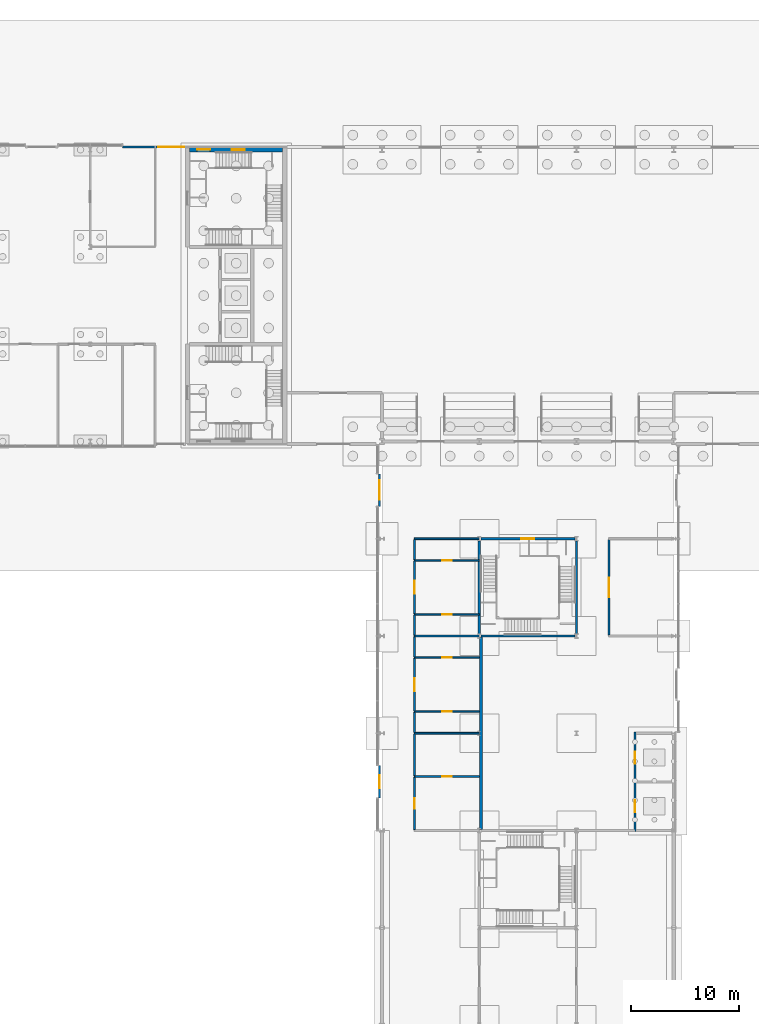
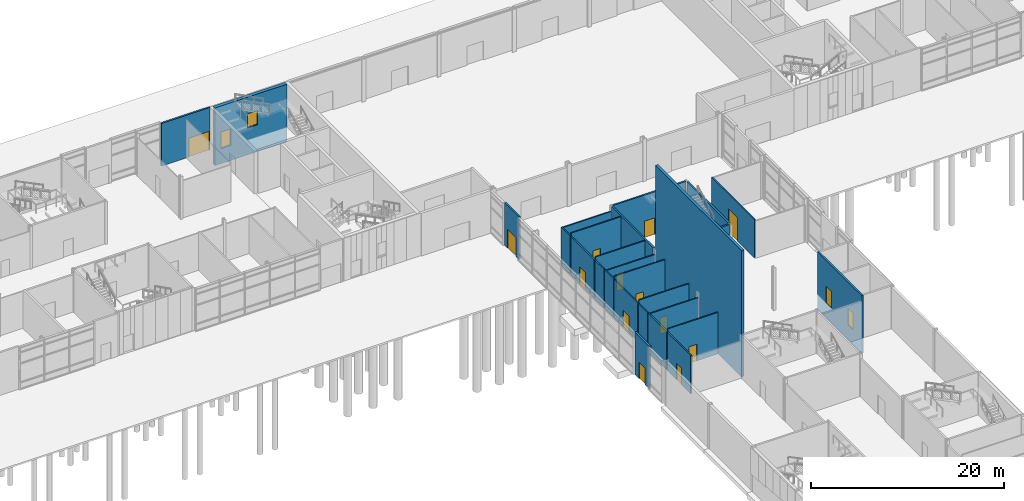
# One storey, part 29 of 45: 27 walls, 16 doors, 1 window, 17 openings.
"""IFC4 building model written with IfcOpenShell, lengths in metres."""

from ifc_helpers import new_model, si_unit, direction, frame, frame_2d, origin, place, context, subcontext, project, spatial, rectangle, extrude, material, layer, layer_set, type_object, element, fill, save


model = new_model("IFC4")

# Units and contexts
model_context = context("Model", 3, precision=1e-05, world=origin(), true_north=direction((0.0, 1.0)))
body_context = subcontext(model_context, "Body", "Model", "MODEL_VIEW")
ifc_project = project(units=[si_unit("LENGTHUNIT", "METRE"), si_unit("AREAUNIT", "SQUARE_METRE"), si_unit("VOLUMEUNIT", "CUBIC_METRE"), si_unit("PLANEANGLEUNIT", "RADIAN"), si_unit("MASSUNIT", "GRAM", prefix="KILO")], contexts=[model_context])

# Site, building, storey
site_placement = place(None, origin())
site = spatial("IfcSite", under=ifc_project, at=site_placement, CompositionType="ELEMENT")
building_placement = place(site_placement, origin())
building = spatial("IfcBuilding", under=site, at=building_placement, Name="Azimuth Sports and Learning Centre", CompositionType="ELEMENT")
storey_placement = place(building_placement, origin())
storey = spatial("IfcBuildingStorey", under=building, at=storey_placement, Name="L00", CompositionType="ELEMENT", Elevation=0.0)

# Wall
ifc_material_1 = material(Name="Plywood climbing panels", Category="wood")
ifc_layer_1 = layer(ifc_material_1, 0.300048828125)
ifc_layer_set_1 = layer_set([ifc_layer_1], Name="Plywood climbing panels")
wall_type_1 = type_object("IfcWallType", Name="Climbing wall 300 EI 60", PredefinedType="SOLIDWALL", material=ifc_layer_set_1)
wall_1_placement = place(storey_placement, frame((81.14990234375, 54.10009765625, 0.0), z_axis=(0.0, 0.0, 1.0), x_axis=(0.0, 1.0, 0.0)))
element("IfcWall", 1, at=wall_1_placement, inside=storey, type_object=wall_type_1, Name="Climbing wall", PredefinedType="SOLIDWALL", context=body_context, shape_type="SweptSolid", body=[
    extrude(rectangle(XDim=17.7998046875, YDim=0.300048828125, at=frame_2d((8.89990234375, 0.0))), origin(), (0.0, 0.0, 1.0), 16.0),
])

# Wall, opening, door
ifc_material_2 = material(Name="Insulated cladding wall")
ifc_layer_2 = layer(ifc_material_2, 0.199951171875)
ifc_layer_set_2 = layer_set([ifc_layer_2], Name="Insulated cladding wall")
wall_type_2 = type_object("IfcWallType", Name="Entrance wall 200", PredefinedType="SOLIDWALL", material=ifc_layer_set_2)
wall_2_placement = place(storey_placement, frame((71.75, 87.0, 0.0), z_axis=(0.0, 0.0, 1.0), x_axis=(0.0, -1.0, 0.0)))
wall_2 = element("IfcWall", 2, at=wall_2_placement, inside=storey, type_object=wall_type_2, Name="Entrance wall W-STEM-1 L00", PredefinedType="SOLIDWALL", context=body_context, shape_type="SweptSolid", body=[
    extrude(rectangle(XDim=3.0, YDim=0.199951171875, at=frame_2d((1.5, 0.0))), origin(), (0.0, 0.0, 1.0), 5.39990234375),
])
opening_1_placement = place(wall_2_placement, frame((0.60009765625, 0.0, 0.0)))
opening_1 = element("IfcOpeningElement", 3, at=opening_1_placement, cuts=wall_2, Name="Opening D00-005", PredefinedType="OPENING", context=body_context, shape_type="SweptSolid", body=[
    extrude(rectangle(XDim=1.800048828125, YDim=2.39990234375, at=frame_2d((0.89990234375, 1.199951171875))), frame((0.0, 0.11083984375, 0.0), z_axis=(0.0, -1.0, 0.0), x_axis=(1.0, 0.0, 0.0)), (0.0, 0.0, 1.0), 0.221923828125),
])
ifc_material_3 = material(Name="Aluminium and glass", Category="aluminium")
door_type_1 = type_object("IfcDoorType", Name="Exterior door double leaf 1800x2400", OperationType="DOUBLE_DOOR_DOUBLE_SWING", PredefinedType="DOOR", material=ifc_material_3)
door_1_placement = place(opening_1_placement, frame((1.800048828125, 0.0, 0.0), z_axis=(0.0, 0.0, 1.0), x_axis=(-1.0, 0.0, 0.0)))
door_1 = element("IfcDoor", 4, at=door_1_placement, inside=storey, type_object=door_type_1, Name="Exterior door D00-005", OperationType="DOUBLE_DOOR_DOUBLE_SWING", OverallHeight=2.39990234375, OverallWidth=1.800048828125, PredefinedType="DOOR", context=body_context, shape_type="SweptSolid", body=[
    extrude(rectangle(XDim=1.800048828125, YDim=2.39990234375, at=frame_2d((0.89990234375, 1.199951171875))), frame((0.0, 0.02490234375, 0.0), z_axis=(0.0, -1.0, 0.0), x_axis=(1.0, 0.0, 0.0)), (0.0, 0.0, 1.0), 0.050048828125),
])
fill(opening_1, door_1)

wall_3_placement = place(storey_placement, frame((71.75, 60.0, 0.0), z_axis=(0.0, 0.0, 1.0), x_axis=(0.0, -1.0, 0.0)))
wall_3 = element("IfcWall", 5, at=wall_3_placement, inside=storey, type_object=wall_type_2, Name="Entrance wall W-STEM-1 L00", PredefinedType="SOLIDWALL", context=body_context, shape_type="SweptSolid", body=[
    extrude(rectangle(XDim=3.0, YDim=0.199951171875, at=frame_2d((1.5, 0.0))), origin(), (0.0, 0.0, 1.0), 5.39990234375),
])
opening_2_placement = place(wall_3_placement, frame((0.89990234375, 0.0, 0.0)))
opening_2 = element("IfcOpeningElement", 6, at=opening_2_placement, cuts=wall_3, Name="Opening D00-006", PredefinedType="OPENING", context=body_context, shape_type="SweptSolid", body=[
    extrude(rectangle(XDim=1.199951171875, YDim=2.10009765625, at=frame_2d((0.60009765625, 1.050048828125))), frame((0.0, 0.11083984375, 0.0), z_axis=(0.0, -1.0, 0.0), x_axis=(1.0, 0.0, 0.0)), (0.0, 0.0, 1.0), 0.221923828125),
])
ifc_material_4 = material(Name="Aluminium and glass", Category="aluminium")
door_type_2 = type_object("IfcDoorType", Name="Exterior door single leaf 1200x2100", OperationType="NOTDEFINED", PredefinedType="DOOR", material=ifc_material_4)
door_2_placement = place(opening_2_placement, frame((1.199951171875, 0.0, 0.0), z_axis=(0.0, 0.0, 1.0), x_axis=(-1.0, 0.0, 0.0)))
door_2 = element("IfcDoor", 7, at=door_2_placement, inside=storey, type_object=door_type_2, Name="Exterior door D00-006", OperationType="SINGLE_SWING_LEFT", OverallHeight=2.10009765625, OverallWidth=1.199951171875, PredefinedType="DOOR", context=body_context, shape_type="SweptSolid", body=[
    extrude(rectangle(XDim=1.199951171875, YDim=2.10009765625, at=frame_2d((0.60009765625, 1.050048828125))), frame((0.0, 0.02490234375, 0.0), z_axis=(0.0, -1.0, 0.0), x_axis=(1.0, 0.0, 0.0)), (0.0, 0.0, 1.0), 0.050048828125),
])
fill(opening_2, door_2)

wall_4_placement = place(storey_placement, frame((53.800048828125, 117.25, 0.0), z_axis=(0.0, 0.0, 1.0), x_axis=(-1.0, 0.0, 0.0)))
wall_4 = element("IfcWall", 8, at=wall_4_placement, inside=storey, type_object=wall_type_2, Name="Entrance wall N-WING W-1 L00", PredefinedType="SOLIDWALL", context=body_context, shape_type="SweptSolid", body=[
    extrude(rectangle(XDim=5.800048828125, YDim=0.199951171875, at=frame_2d((2.89990234375, 0.0))), origin(), (0.0, 0.0, 1.0), 5.39990234375),
])
opening_3_placement = place(wall_4_placement, frame((0.10009765625, 0.0, 0.0)))
opening_3 = element("IfcOpeningElement", 9, at=opening_3_placement, cuts=wall_4, Name="Opening D00-021", PredefinedType="OPENING", context=body_context, shape_type="SweptSolid", body=[
    extrude(rectangle(XDim=2.39990234375, YDim=2.39990234375, at=frame_2d((1.199951171875, 1.199951171875))), frame((0.0, 0.11083984375, 0.0), z_axis=(0.0, -1.0, 0.0), x_axis=(1.0, 0.0, 0.0)), (0.0, 0.0, 1.0), 0.221923828125),
])
ifc_material_5 = material(Name="Steel", Category="steel")
door_type_3 = type_object("IfcDoorType", Name="Exterior door double leaf 2400x2400 FD60", OperationType="DOUBLE_DOOR_DOUBLE_SWING", PredefinedType="DOOR", material=ifc_material_5)
door_3_placement = place(opening_3_placement, frame((2.39990234375, 0.0, 0.0), z_axis=(0.0, 0.0, 1.0), x_axis=(-1.0, 0.0, 0.0)))
door_3 = element("IfcDoor", 10, at=door_3_placement, inside=storey, type_object=door_type_3, Name="Exterior door D00-021", OperationType="DOUBLE_DOOR_DOUBLE_SWING", OverallHeight=2.39990234375, OverallWidth=2.39990234375, PredefinedType="DOOR", context=body_context, shape_type="SweptSolid", body=[
    extrude(rectangle(XDim=2.39990234375, YDim=2.39990234375, at=frame_2d((1.199951171875, 1.199951171875))), frame((0.0, 0.02490234375, 0.0), z_axis=(0.0, -1.0, 0.0), x_axis=(1.0, 0.0, 0.0)), (0.0, 0.0, 1.0), 0.050048828125),
])
fill(opening_3, door_3)

ifc_material_6 = material(Name="Lightweight blockwork, rendered", Category="masonry")
ifc_layer_3 = layer(ifc_material_6, 0.14990234375)
ifc_layer_set_3 = layer_set([ifc_layer_3], Name="Lightweight blockwork, rendered")
wall_type_3 = type_object("IfcWallType", Name="Partition 150 EI 60", PredefinedType="PARTITIONING", material=ifc_layer_set_3)
wall_5_placement = place(storey_placement, frame((75.0, 59.0, 0.0), z_axis=(0.0, 0.0, 1.0), x_axis=(1.0, 0.0, 0.0)))
wall_5 = element("IfcWall", 11, at=wall_5_placement, inside=storey, type_object=wall_type_3, Name="Partition 150 EI 60", PredefinedType="PARTITIONING", context=body_context, shape_type="SweptSolid", body=[
    extrude(rectangle(XDim=6.0, YDim=0.14990234375, at=frame_2d((3.0, 0.0))), origin(), (0.0, 0.0, 1.0), 5.25),
])
opening_4_placement = place(wall_5_placement, frame((2.550048828125, 0.0, 0.0)))
opening_4 = element("IfcOpeningElement", 12, at=opening_4_placement, cuts=wall_5, Name="Opening D00-095", PredefinedType="OPENING", context=body_context, shape_type="SweptSolid", body=[
    extrude(rectangle(XDim=0.89990234375, YDim=2.10009765625, at=frame_2d((0.449951171875, 1.050048828125))), frame((0.0, 0.0859375, 0.0), z_axis=(0.0, -1.0, 0.0), x_axis=(1.0, 0.0, 0.0)), (0.0, 0.0, 1.0), 0.171875),
])
ifc_material_7 = material(Name="Timber fire door set", Category="wood")
door_type_4 = type_object("IfcDoorType", Name="Timber door single 900x2100 FD60", OperationType="NOTDEFINED", PredefinedType="DOOR", material=ifc_material_7)
door_4_placement = place(opening_4_placement, origin())
door_4 = element("IfcDoor", 13, at=door_4_placement, inside=storey, type_object=door_type_4, Name="Door D00-095", OperationType="SINGLE_SWING_LEFT", OverallHeight=2.10009765625, OverallWidth=0.89990234375, PredefinedType="DOOR", context=body_context, shape_type="SweptSolid", body=[
    extrude(rectangle(XDim=0.89990234375, YDim=2.10009765625, at=frame_2d((0.449951171875, 1.050048828125))), frame((0.0, 0.02490234375, 0.0), z_axis=(0.0, -1.0, 0.0), x_axis=(1.0, 0.0, 0.0)), (0.0, 0.0, 1.0), 0.050048828125),
])
fill(opening_4, door_4)

# Wall
wall_6_placement = place(storey_placement, frame((75.0, 63.0, 0.0), z_axis=(0.0, 0.0, 1.0), x_axis=(1.0, 0.0, 0.0)))
element("IfcWall", 14, at=wall_6_placement, inside=storey, type_object=wall_type_3, Name="Partition 150 EI 60", PredefinedType="PARTITIONING", context=body_context, shape_type="SweptSolid", body=[
    extrude(rectangle(XDim=6.0, YDim=0.14990234375, at=frame_2d((3.0, 0.0))), origin(), (0.0, 0.0, 1.0), 4.699951171875),
])

# Wall, opening, door
wall_7_placement = place(storey_placement, frame((75.0, 65.0, 0.0), z_axis=(0.0, 0.0, 1.0), x_axis=(1.0, 0.0, 0.0)))
wall_7 = element("IfcWall", 15, at=wall_7_placement, inside=storey, type_object=wall_type_3, Name="Partition 150 EI 60", PredefinedType="PARTITIONING", context=body_context, shape_type="SweptSolid", body=[
    extrude(rectangle(XDim=6.0, YDim=0.14990234375, at=frame_2d((3.0, 0.0))), origin(), (0.0, 0.0, 1.0), 5.25),
])
opening_5_placement = place(wall_7_placement, frame((2.550048828125, 0.0, 0.0)))
opening_5 = element("IfcOpeningElement", 16, at=opening_5_placement, cuts=wall_7, Name="Opening D00-096", PredefinedType="OPENING", context=body_context, shape_type="SweptSolid", body=[
    extrude(rectangle(XDim=0.89990234375, YDim=2.10009765625, at=frame_2d((0.449951171875, 1.050048828125))), frame((0.0, 0.0859375, 0.0), z_axis=(0.0, -1.0, 0.0), x_axis=(1.0, 0.0, 0.0)), (0.0, 0.0, 1.0), 0.171875),
])
door_5_placement = place(opening_5_placement, frame((0.89990234375, 0.0, 0.0), z_axis=(0.0, 0.0, 1.0), x_axis=(-1.0, 0.0, 0.0)))
door_5 = element("IfcDoor", 17, at=door_5_placement, inside=storey, type_object=door_type_4, Name="Door D00-096", OperationType="SINGLE_SWING_RIGHT", OverallHeight=2.10009765625, OverallWidth=0.89990234375, PredefinedType="DOOR", context=body_context, shape_type="SweptSolid", body=[
    extrude(rectangle(XDim=0.89990234375, YDim=2.10009765625, at=frame_2d((0.449951171875, 1.050048828125))), frame((0.0, 0.02490234375, 0.0), z_axis=(0.0, -1.0, 0.0), x_axis=(1.0, 0.0, 0.0)), (0.0, 0.0, 1.0), 0.050048828125),
])
fill(opening_5, door_5)

wall_8_placement = place(storey_placement, frame((75.0, 70.0, 0.0), z_axis=(0.0, 0.0, 1.0), x_axis=(1.0, 0.0, 0.0)))
wall_8 = element("IfcWall", 18, at=wall_8_placement, inside=storey, type_object=wall_type_3, Name="Partition 150 EI 60", PredefinedType="PARTITIONING", context=body_context, shape_type="SweptSolid", body=[
    extrude(rectangle(XDim=6.0, YDim=0.14990234375, at=frame_2d((3.0, 0.0))), origin(), (0.0, 0.0, 1.0), 5.25),
])
opening_6_placement = place(wall_8_placement, frame((2.550048828125, 0.0, 0.0)))
opening_6 = element("IfcOpeningElement", 19, at=opening_6_placement, cuts=wall_8, Name="Opening D00-098", PredefinedType="OPENING", context=body_context, shape_type="SweptSolid", body=[
    extrude(rectangle(XDim=0.89990234375, YDim=2.10009765625, at=frame_2d((0.449951171875, 1.050048828125))), frame((0.0, 0.0859375, 0.0), z_axis=(0.0, -1.0, 0.0), x_axis=(1.0, 0.0, 0.0)), (0.0, 0.0, 1.0), 0.171875),
])
door_6_placement = place(opening_6_placement, origin())
door_6 = element("IfcDoor", 20, at=door_6_placement, inside=storey, type_object=door_type_4, Name="Door D00-098", OperationType="SINGLE_SWING_LEFT", OverallHeight=2.10009765625, OverallWidth=0.89990234375, PredefinedType="DOOR", context=body_context, shape_type="SweptSolid", body=[
    extrude(rectangle(XDim=0.89990234375, YDim=2.10009765625, at=frame_2d((0.449951171875, 1.050048828125))), frame((0.0, 0.02490234375, 0.0), z_axis=(0.0, -1.0, 0.0), x_axis=(1.0, 0.0, 0.0)), (0.0, 0.0, 1.0), 0.050048828125),
])
fill(opening_6, door_6)

# Wall
wall_9_placement = place(storey_placement, frame((75.0, 72.0, 0.0), z_axis=(0.0, 0.0, 1.0), x_axis=(1.0, 0.0, 0.0)))
element("IfcWall", 21, at=wall_9_placement, inside=storey, type_object=wall_type_3, Name="Partition 150 EI 60", PredefinedType="PARTITIONING", context=body_context, shape_type="SweptSolid", body=[
    extrude(rectangle(XDim=6.0, YDim=0.14990234375, at=frame_2d((3.0, 0.0))), origin(), (0.0, 0.0, 1.0), 4.699951171875),
])

# Wall, opening, door
wall_10_placement = place(storey_placement, frame((75.0, 74.0, 0.0), z_axis=(0.0, 0.0, 1.0), x_axis=(1.0, 0.0, 0.0)))
wall_10 = element("IfcWall", 22, at=wall_10_placement, inside=storey, type_object=wall_type_3, Name="Partition 150 EI 60", PredefinedType="PARTITIONING", context=body_context, shape_type="SweptSolid", body=[
    extrude(rectangle(XDim=6.0, YDim=0.14990234375, at=frame_2d((3.0, 0.0))), origin(), (0.0, 0.0, 1.0), 5.25),
])
opening_7_placement = place(wall_10_placement, frame((2.550048828125, 0.0, 0.0)))
opening_7 = element("IfcOpeningElement", 23, at=opening_7_placement, cuts=wall_10, Name="Opening D00-099", PredefinedType="OPENING", context=body_context, shape_type="SweptSolid", body=[
    extrude(rectangle(XDim=0.89990234375, YDim=2.10009765625, at=frame_2d((0.449951171875, 1.050048828125))), frame((0.0, 0.0859375, 0.0), z_axis=(0.0, -1.0, 0.0), x_axis=(1.0, 0.0, 0.0)), (0.0, 0.0, 1.0), 0.171875),
])
door_7_placement = place(opening_7_placement, frame((0.89990234375, 0.0, 0.0), z_axis=(0.0, 0.0, 1.0), x_axis=(-1.0, 0.0, 0.0)))
door_7 = element("IfcDoor", 24, at=door_7_placement, inside=storey, type_object=door_type_4, Name="Door D00-099", OperationType="SINGLE_SWING_RIGHT", OverallHeight=2.10009765625, OverallWidth=0.89990234375, PredefinedType="DOOR", context=body_context, shape_type="SweptSolid", body=[
    extrude(rectangle(XDim=0.89990234375, YDim=2.10009765625, at=frame_2d((0.449951171875, 1.050048828125))), frame((0.0, 0.02490234375, 0.0), z_axis=(0.0, -1.0, 0.0), x_axis=(1.0, 0.0, 0.0)), (0.0, 0.0, 1.0), 0.050048828125),
])
fill(opening_7, door_7)

wall_11_placement = place(storey_placement, frame((75.0, 79.0, 0.0), z_axis=(0.0, 0.0, 1.0), x_axis=(1.0, 0.0, 0.0)))
wall_11 = element("IfcWall", 25, at=wall_11_placement, inside=storey, type_object=wall_type_3, Name="Partition 150 EI 60", PredefinedType="PARTITIONING", context=body_context, shape_type="SweptSolid", body=[
    extrude(rectangle(XDim=6.0, YDim=0.14990234375, at=frame_2d((3.0, 0.0))), origin(), (0.0, 0.0, 1.0), 5.25),
])
opening_8_placement = place(wall_11_placement, frame((2.550048828125, 0.0, 0.0)))
opening_8 = element("IfcOpeningElement", 26, at=opening_8_placement, cuts=wall_11, Name="Opening D00-101", PredefinedType="OPENING", context=body_context, shape_type="SweptSolid", body=[
    extrude(rectangle(XDim=0.89990234375, YDim=2.10009765625, at=frame_2d((0.449951171875, 1.050048828125))), frame((0.0, 0.0859375, 0.0), z_axis=(0.0, -1.0, 0.0), x_axis=(1.0, 0.0, 0.0)), (0.0, 0.0, 1.0), 0.171875),
])
door_8_placement = place(opening_8_placement, origin())
door_8 = element("IfcDoor", 27, at=door_8_placement, inside=storey, type_object=door_type_4, Name="Door D00-101", OperationType="SINGLE_SWING_LEFT", OverallHeight=2.10009765625, OverallWidth=0.89990234375, PredefinedType="DOOR", context=body_context, shape_type="SweptSolid", body=[
    extrude(rectangle(XDim=0.89990234375, YDim=2.10009765625, at=frame_2d((0.449951171875, 1.050048828125))), frame((0.0, 0.02490234375, 0.0), z_axis=(0.0, -1.0, 0.0), x_axis=(1.0, 0.0, 0.0)), (0.0, 0.0, 1.0), 0.050048828125),
])
fill(opening_8, door_8)

# Wall
wall_12_placement = place(storey_placement, frame((75.0, 81.0, 0.0), z_axis=(0.0, 0.0, 1.0), x_axis=(1.0, 0.0, 0.0)))
element("IfcWall", 28, at=wall_12_placement, inside=storey, type_object=wall_type_3, Name="Partition 150 EI 60", PredefinedType="PARTITIONING", context=body_context, shape_type="SweptSolid", body=[
    extrude(rectangle(XDim=6.0, YDim=0.14990234375, at=frame_2d((3.0, 0.0))), origin(), (0.0, 0.0, 1.0), 4.699951171875),
])

# Wall, opening, door
wall_13_placement = place(storey_placement, frame((75.0, 54.074951171875, 0.0), z_axis=(0.0, 0.0, 1.0), x_axis=(0.0, 1.0, 0.0)))
wall_13 = element("IfcWall", 29, at=wall_13_placement, inside=storey, type_object=wall_type_3, Name="Partition 150 EI 60", PredefinedType="PARTITIONING", context=body_context, shape_type="SweptSolid", body=[
    extrude(rectangle(XDim=4.85009765625, YDim=0.14990234375, at=frame_2d((2.425048828125, 0.0))), origin(), (0.0, 0.0, 1.0), 4.85009765625),
])
opening_9_placement = place(wall_13_placement, frame((1.925048828125, 0.0, 0.0)))
opening_9 = element("IfcOpeningElement", 30, at=opening_9_placement, cuts=wall_13, Name="Opening D00-094", PredefinedType="OPENING", context=body_context, shape_type="SweptSolid", body=[
    extrude(rectangle(XDim=1.0, YDim=2.10009765625, at=frame_2d((0.5, 1.050048828125))), frame((0.0, 0.0859375, 0.0), z_axis=(0.0, -1.0, 0.0), x_axis=(1.0, 0.0, 0.0)), (0.0, 0.0, 1.0), 0.171875),
])
ifc_material_8 = material(Name="Timber fire door set", Category="wood")
door_type_5 = type_object("IfcDoorType", Name="Timber door single 1000x2100 FD60", OperationType="NOTDEFINED", PredefinedType="DOOR", material=ifc_material_8)
door_9_placement = place(opening_9_placement, frame((1.0, 0.0, 0.0), z_axis=(0.0, 0.0, 1.0), x_axis=(-1.0, 0.0, 0.0)))
door_9 = element("IfcDoor", 31, at=door_9_placement, inside=storey, type_object=door_type_5, Name="Door D00-094", OperationType="SINGLE_SWING_LEFT", OverallHeight=2.10009765625, OverallWidth=1.0, PredefinedType="DOOR", context=body_context, shape_type="SweptSolid", body=[
    extrude(rectangle(XDim=1.0, YDim=2.10009765625, at=frame_2d((0.5, 1.050048828125))), frame((0.0, 0.02490234375, 0.0), z_axis=(0.0, -1.0, 0.0), x_axis=(1.0, 0.0, 0.0)), (0.0, 0.0, 1.0), 0.050048828125),
])
fill(opening_9, door_9)

# Walls
wall_14_placement = place(storey_placement, frame((75.0, 59.074951171875, 0.0), z_axis=(0.0, 0.0, 1.0), x_axis=(0.0, 1.0, 0.0)))
element("IfcWall", 32, at=wall_14_placement, inside=storey, type_object=wall_type_3, Name="Partition 150 EI 60", PredefinedType="PARTITIONING", context=body_context, shape_type="SweptSolid", body=[
    extrude(rectangle(XDim=3.85009765625, YDim=0.14990234375, at=frame_2d((1.925048828125, 0.0))), origin(), (0.0, 0.0, 1.0), 4.85009765625),
])
wall_15_placement = place(storey_placement, frame((75.0, 63.074951171875, 0.0), z_axis=(0.0, 0.0, 1.0), x_axis=(0.0, 1.0, 0.0)))
element("IfcWall", 33, at=wall_15_placement, inside=storey, type_object=wall_type_3, Name="Partition 150 EI 60", PredefinedType="PARTITIONING", context=body_context, shape_type="SweptSolid", body=[
    extrude(rectangle(XDim=1.85009765625, YDim=0.14990234375, at=frame_2d((0.925048828125, 0.0))), origin(), (0.0, 0.0, 1.0), 4.85009765625),
])

# Wall, opening, door
wall_16_placement = place(storey_placement, frame((75.0, 65.074951171875, 0.0), z_axis=(0.0, 0.0, 1.0), x_axis=(0.0, 1.0, 0.0)))
wall_16 = element("IfcWall", 34, at=wall_16_placement, inside=storey, type_object=wall_type_3, Name="Partition 150 EI 60", PredefinedType="PARTITIONING", context=body_context, shape_type="SweptSolid", body=[
    extrude(rectangle(XDim=4.85009765625, YDim=0.14990234375, at=frame_2d((2.425048828125, 0.0))), origin(), (0.0, 0.0, 1.0), 4.85009765625),
])
opening_10_placement = place(wall_16_placement, frame((1.824951171875, 0.0, 0.0)))
opening_10 = element("IfcOpeningElement", 35, at=opening_10_placement, cuts=wall_16, Name="Opening D00-097", PredefinedType="OPENING", context=body_context, shape_type="SweptSolid", body=[
    extrude(rectangle(XDim=1.199951171875, YDim=2.10009765625, at=frame_2d((0.60009765625, 1.050048828125))), frame((0.0, 0.0859375, 0.0), z_axis=(0.0, -1.0, 0.0), x_axis=(1.0, 0.0, 0.0)), (0.0, 0.0, 1.0), 0.171875),
])
ifc_material_9 = material(Name="Timber fire door set", Category="wood")
door_type_6 = type_object("IfcDoorType", Name="Timber door single 1200x2100 FD60", OperationType="NOTDEFINED", PredefinedType="DOOR", material=ifc_material_9)
door_10_placement = place(opening_10_placement, frame((1.199951171875, 0.0, 0.0), z_axis=(0.0, 0.0, 1.0), x_axis=(-1.0, 0.0, 0.0)))
door_10 = element("IfcDoor", 36, at=door_10_placement, inside=storey, type_object=door_type_6, Name="Door D00-097", OperationType="SINGLE_SWING_LEFT", OverallHeight=2.10009765625, OverallWidth=1.199951171875, PredefinedType="DOOR", context=body_context, shape_type="SweptSolid", body=[
    extrude(rectangle(XDim=1.199951171875, YDim=2.10009765625, at=frame_2d((0.60009765625, 1.050048828125))), frame((0.0, 0.02490234375, 0.0), z_axis=(0.0, -1.0, 0.0), x_axis=(1.0, 0.0, 0.0)), (0.0, 0.0, 1.0), 0.050048828125),
])
fill(opening_10, door_10)

# Walls
for number, where, z_axis, x_axis, name in (
    (37, (75.0, 70.074951171875, 0.0), (0.0, 0.0, 1.0), (0.0, 1.0, 0.0), "Partition 150 EI 60"),
    (38, (75.0, 72.074951171875, 0.0), (0.0, 0.0, 1.0), (0.0, 1.0, 0.0), "Partition 150 EI 60"),
):
    element("IfcWall", number, at=place(storey_placement, frame(where, z_axis=z_axis, x_axis=x_axis)), inside=storey, type_object=wall_type_3, Name=name, PredefinedType="PARTITIONING", context=body_context, shape_type="SweptSolid", body=[
        extrude(rectangle(XDim=1.85009765625, YDim=0.14990234375, at=frame_2d((0.925048828125, 0.0))), origin(), (0.0, 0.0, 1.0), 4.85009765625),
    ])

# Wall, opening, door
wall_17_placement = place(storey_placement, frame((75.0, 74.074951171875, 0.0), z_axis=(0.0, 0.0, 1.0), x_axis=(0.0, 1.0, 0.0)))
wall_17 = element("IfcWall", 39, at=wall_17_placement, inside=storey, type_object=wall_type_3, Name="Partition 150 EI 60", PredefinedType="PARTITIONING", context=body_context, shape_type="SweptSolid", body=[
    extrude(rectangle(XDim=4.85009765625, YDim=0.14990234375, at=frame_2d((2.425048828125, 0.0))), origin(), (0.0, 0.0, 1.0), 4.85009765625),
])
opening_11_placement = place(wall_17_placement, frame((1.824951171875, 0.0, 0.0)))
opening_11 = element("IfcOpeningElement", 40, at=opening_11_placement, cuts=wall_17, Name="Opening D00-100", PredefinedType="OPENING", context=body_context, shape_type="SweptSolid", body=[
    extrude(rectangle(XDim=1.199951171875, YDim=2.10009765625, at=frame_2d((0.60009765625, 1.050048828125))), frame((0.0, 0.0859375, 0.0), z_axis=(0.0, -1.0, 0.0), x_axis=(1.0, 0.0, 0.0)), (0.0, 0.0, 1.0), 0.171875),
])
door_11_placement = place(opening_11_placement, frame((1.199951171875, 0.0, 0.0), z_axis=(0.0, 0.0, 1.0), x_axis=(-1.0, 0.0, 0.0)))
door_11 = element("IfcDoor", 41, at=door_11_placement, inside=storey, type_object=door_type_6, Name="Door D00-100", OperationType="SINGLE_SWING_LEFT", OverallHeight=2.10009765625, OverallWidth=1.199951171875, PredefinedType="DOOR", context=body_context, shape_type="SweptSolid", body=[
    extrude(rectangle(XDim=1.199951171875, YDim=2.10009765625, at=frame_2d((0.60009765625, 1.050048828125))), frame((0.0, 0.02490234375, 0.0), z_axis=(0.0, -1.0, 0.0), x_axis=(1.0, 0.0, 0.0)), (0.0, 0.0, 1.0), 0.050048828125),
])
fill(opening_11, door_11)

# Wall
wall_18_placement = place(storey_placement, frame((75.0, 79.074951171875, 0.0), z_axis=(0.0, 0.0, 1.0), x_axis=(0.0, 1.0, 0.0)))
element("IfcWall", 42, at=wall_18_placement, inside=storey, type_object=wall_type_3, Name="Partition 150 EI 60", PredefinedType="PARTITIONING", context=body_context, shape_type="SweptSolid", body=[
    extrude(rectangle(XDim=1.85009765625, YDim=0.14990234375, at=frame_2d((0.925048828125, 0.0))), origin(), (0.0, 0.0, 1.0), 4.85009765625),
])

# Wall, opening, door
wall_19_placement = place(storey_placement, frame((93.0, 72.074951171875, 0.0), z_axis=(0.0, 0.0, 1.0), x_axis=(0.0, 1.0, 0.0)))
wall_19 = element("IfcWall", 43, at=wall_19_placement, inside=storey, type_object=wall_type_3, Name="Partition 150 EI 60", PredefinedType="PARTITIONING", context=body_context, shape_type="SweptSolid", body=[
    extrude(rectangle(XDim=8.85009765625, YDim=0.14990234375, at=frame_2d((4.425048828125, 0.0))), origin(), (0.0, 0.0, 1.0), 4.85009765625),
])
opening_12_placement = place(wall_19_placement, frame((3.52490234375, 0.0, 0.0)))
opening_12 = element("IfcOpeningElement", 44, at=opening_12_placement, cuts=wall_19, Name="Opening D00-102", PredefinedType="OPENING", context=body_context, shape_type="SweptSolid", body=[
    extrude(rectangle(XDim=1.800048828125, YDim=3.0, at=frame_2d((0.89990234375, 1.5))), frame((0.0, 0.0859375, 0.0), z_axis=(0.0, -1.0, 0.0), x_axis=(1.0, 0.0, 0.0)), (0.0, 0.0, 1.0), 0.171875),
])
ifc_material_10 = material(Name="Timber fire door set", Category="wood")
door_type_7 = type_object("IfcDoorType", Name="Timber door double 1800x3000 FD60", OperationType="DOUBLE_DOOR_SINGLE_SWING", PredefinedType="DOOR", material=ifc_material_10)
door_12_placement = place(opening_12_placement, frame((1.800048828125, 0.0, 0.0), z_axis=(0.0, 0.0, 1.0), x_axis=(-1.0, 0.0, 0.0)))
door_12 = element("IfcDoor", 45, at=door_12_placement, inside=storey, type_object=door_type_7, Name="Door D00-102", OperationType="DOUBLE_DOOR_SINGLE_SWING", OverallHeight=3.0, OverallWidth=1.800048828125, PredefinedType="DOOR", context=body_context, shape_type="SweptSolid", body=[
    extrude(rectangle(XDim=1.800048828125, YDim=3.0, at=frame_2d((0.89990234375, 1.5))), frame((0.0, 0.02490234375, 0.0), z_axis=(0.0, -1.0, 0.0), x_axis=(1.0, 0.0, 0.0)), (0.0, 0.0, 1.0), 0.050048828125),
])
fill(opening_12, door_12)

# Wall
ifc_material_11 = material(Name="Concrete C40/50", Category="concrete")
ifc_layer_4 = layer(ifc_material_11, 0.199951171875)
ifc_layer_set_4 = layer_set([ifc_layer_4], Name="Concrete C40/50")
wall_type_4 = type_object("IfcWallType", Name="RC cell wall 200 EI 120", PredefinedType="SHEAR", material=ifc_layer_set_4)
wall_20_placement = place(storey_placement, frame((81.14990234375, 72.0, 0.0), z_axis=(0.0, 0.0, 1.0), x_axis=(1.0, 0.0, 0.0)))
element("IfcWall", 46, at=wall_20_placement, inside=storey, type_object=wall_type_4, Name="CE-STD-S-L00", PredefinedType="SHEAR", context=body_context, shape_type="SweptSolid", body=[
    extrude(rectangle(XDim=8.7001953125, YDim=0.199951171875, at=frame_2d((4.35009765625, 0.0))), origin(), (0.0, 0.0, 1.0), 5.39990234375),
])

# Wall, opening, door
wall_21_placement = place(storey_placement, frame((81.14990234375, 81.0, 0.0), z_axis=(0.0, 0.0, 1.0), x_axis=(1.0, 0.0, 0.0)))
wall_21 = element("IfcWall", 47, at=wall_21_placement, inside=storey, type_object=wall_type_4, Name="CE-STD-N-L00", PredefinedType="SHEAR", context=body_context, shape_type="SweptSolid", body=[
    extrude(rectangle(XDim=8.7001953125, YDim=0.199951171875, at=frame_2d((4.35009765625, 0.0))), origin(), (0.0, 0.0, 1.0), 5.39990234375),
])
opening_13_placement = place(wall_21_placement, frame((3.75, 0.0, 0.0)))
opening_13 = element("IfcOpeningElement", 48, at=opening_13_placement, cuts=wall_21, Name="Opening D00-053", PredefinedType="OPENING", context=body_context, shape_type="SweptSolid", body=[
    extrude(rectangle(XDim=1.199951171875, YDim=2.10009765625, at=frame_2d((0.60009765625, 1.050048828125))), frame((0.0, 0.11083984375, 0.0), z_axis=(0.0, -1.0, 0.0), x_axis=(1.0, 0.0, 0.0)), (0.0, 0.0, 1.0), 0.221923828125),
])
ifc_material_12 = material(Name="Steel", Category="steel")
door_type_8 = type_object("IfcDoorType", Name="Stair fire door 1200 x 2100", OperationType="NOTDEFINED", PredefinedType="DOOR", material=ifc_material_12)
door_13_placement = place(opening_13_placement, origin())
door_13 = element("IfcDoor", 49, at=door_13_placement, inside=storey, type_object=door_type_8, Name="Stair door STD L00", OperationType="SINGLE_SWING_RIGHT", OverallHeight=2.10009765625, OverallWidth=1.199951171875, PredefinedType="DOOR", context=body_context, shape_type="SweptSolid", body=[
    extrude(rectangle(XDim=1.199951171875, YDim=2.10009765625, at=frame_2d((0.60009765625, 1.050048828125))), frame((0.0, 0.02490234375, 0.0), z_axis=(0.0, -1.0, 0.0), x_axis=(1.0, 0.0, 0.0)), (0.0, 0.0, 1.0), 0.050048828125),
])
fill(opening_13, door_13)

# Walls
for number, where, z_axis, x_axis, name in (
    (50, (81.0, 72.199951171875, 0.0), (0.0, 0.0, 1.0), (0.0, 1.0, 0.0), "CE-STD-W-L00"),
    (51, (90.0, 72.199951171875, 0.0), (0.0, 0.0, 1.0), (0.0, 1.0, 0.0), "CE-STD-E-L00"),
):
    element("IfcWall", number, at=place(storey_placement, frame(where, z_axis=z_axis, x_axis=x_axis)), inside=storey, type_object=wall_type_4, Name=name, PredefinedType="SHEAR", context=body_context, shape_type="SweptSolid", body=[
        extrude(rectangle(XDim=8.60009765625, YDim=0.199951171875, at=frame_2d((4.300048828125, 0.0))), origin(), (0.0, 0.0, 1.0), 5.39990234375),
    ])

# Wall, openings, doors
wall_22_placement = place(storey_placement, frame((95.39990234375, 53.89990234375, -1.89990234375), z_axis=(0.0, 0.0, 1.0), x_axis=(0.0, 1.0, 0.0)))
wall_22 = element("IfcWall", 52, at=wall_22_placement, inside=storey, type_object=wall_type_4, Name="CE-STL-W-L00", PredefinedType="SHEAR", context=body_context, shape_type="SweptSolid", body=[
    extrude(rectangle(XDim=9.2001953125, YDim=0.199951171875, at=frame_2d((4.60009765625, 0.0))), origin(), (0.0, 0.0, 1.0), 7.2998046875),
])
opening_14_placement = place(wall_22_placement, frame((1.800048828125, 0.0, 1.89990234375)))
opening_14 = element("IfcOpeningElement", 53, at=opening_14_placement, cuts=wall_22, Name="Opening D00-064", PredefinedType="OPENING", context=body_context, shape_type="SweptSolid", body=[
    extrude(rectangle(XDim=1.10009765625, YDim=2.10009765625, at=frame_2d((0.550048828125, 1.050048828125))), frame((0.0, 0.11083984375, 0.0), z_axis=(0.0, -1.0, 0.0), x_axis=(1.0, 0.0, 0.0)), (0.0, 0.0, 1.0), 0.221923828125),
])
opening_15_placement = place(wall_22_placement, frame((6.300048828125, 0.0, 1.89990234375)))
opening_15 = element("IfcOpeningElement", 54, at=opening_15_placement, cuts=wall_22, Name="Opening D00-065", PredefinedType="OPENING", context=body_context, shape_type="SweptSolid", body=[
    extrude(rectangle(XDim=1.10009765625, YDim=2.10009765625, at=frame_2d((0.550048828125, 1.050048828125))), frame((0.0, 0.11083984375, 0.0), z_axis=(0.0, -1.0, 0.0), x_axis=(1.0, 0.0, 0.0)), (0.0, 0.0, 1.0), 0.221923828125),
])
ifc_material_13 = material(Name="Stainless steel", Category="steel")
door_type_9 = type_object("IfcDoorType", Name="Lift landing door 1100 x 2100", OperationType="DOUBLE_DOOR_SLIDING", PredefinedType="DOOR", material=ifc_material_13)
door_14_placement = place(opening_14_placement, origin())
door_14 = element("IfcDoor", 55, at=door_14_placement, inside=storey, type_object=door_type_9, Name="Landing door LS1 L00", OperationType="DOUBLE_DOOR_SLIDING", OverallHeight=2.10009765625, OverallWidth=1.10009765625, PredefinedType="DOOR", context=body_context, shape_type="SweptSolid", body=[
    extrude(rectangle(XDim=1.10009765625, YDim=2.10009765625, at=frame_2d((0.550048828125, 1.050048828125))), frame((0.0, 0.02490234375, 0.0), z_axis=(0.0, -1.0, 0.0), x_axis=(1.0, 0.0, 0.0)), (0.0, 0.0, 1.0), 0.050048828125),
])
fill(opening_14, door_14)
door_15_placement = place(opening_15_placement, origin())
door_15 = element("IfcDoor", 56, at=door_15_placement, inside=storey, type_object=door_type_9, Name="Landing door LS2 L00", OperationType="DOUBLE_DOOR_SLIDING", OverallHeight=2.10009765625, OverallWidth=1.10009765625, PredefinedType="DOOR", context=body_context, shape_type="SweptSolid", body=[
    extrude(rectangle(XDim=1.10009765625, YDim=2.10009765625, at=frame_2d((0.550048828125, 1.050048828125))), frame((0.0, 0.02490234375, 0.0), z_axis=(0.0, -1.0, 0.0), x_axis=(1.0, 0.0, 0.0)), (0.0, 0.0, 1.0), 0.050048828125),
])
fill(opening_15, door_15)

# Wall, openings, door, window
ifc_material_14 = material(Name="Concrete C40/50", Category="concrete")
ifc_layer_5 = layer(ifc_material_14, 0.39990234375)
ifc_layer_set_5 = layer_set([ifc_layer_5], Name="Concrete C40/50")
wall_type_5 = type_object("IfcWallType", Name="RC external core wall 400", PredefinedType="SHEAR", material=ifc_layer_set_5)
wall_23_placement = place(storey_placement, frame((54.199951171875, 117.0, -1.89990234375), z_axis=(0.0, 0.0, 1.0), x_axis=(1.0, 0.0, 0.0)))
wall_23 = element("IfcWall", 57, at=wall_23_placement, inside=storey, type_object=wall_type_5, Name="Core wall W N L00", PredefinedType="SHEAR", context=body_context, shape_type="SweptSolid", body=[
    extrude(rectangle(XDim=8.60009765625, YDim=0.39990234375, at=frame_2d((4.300048828125, 0.0))), origin(), (0.0, 0.0, 1.0), 7.2998046875),
])
opening_16_placement = place(wall_23_placement, frame((3.89990234375, 0.0, 3.39990234375)))
opening_16 = element("IfcOpeningElement", 58, at=opening_16_placement, cuts=wall_23, Name="Opening W00-007", PredefinedType="OPENING", context=body_context, shape_type="SweptSolid", body=[
    extrude(rectangle(XDim=1.199951171875, YDim=1.800048828125, at=frame_2d((0.60009765625, 0.89990234375))), frame((0.0, 0.2109375, 0.0), z_axis=(0.0, -1.0, 0.0), x_axis=(1.0, 0.0, 0.0)), (0.0, 0.0, 1.0), 0.421875),
])
opening_17_placement = place(wall_23_placement, frame((0.699951171875, 0.0, 1.89990234375)))
opening_17 = element("IfcOpeningElement", 59, at=opening_17_placement, cuts=wall_23, Name="Opening D00-027", PredefinedType="OPENING", context=body_context, shape_type="SweptSolid", body=[
    extrude(rectangle(XDim=1.199951171875, YDim=2.10009765625, at=frame_2d((0.60009765625, 1.050048828125))), frame((0.0, 0.2109375, 0.0), z_axis=(0.0, -1.0, 0.0), x_axis=(1.0, 0.0, 0.0)), (0.0, 0.0, 1.0), 0.421875),
])
door_16_placement = place(opening_17_placement, origin())
door_16 = element("IfcDoor", 60, at=door_16_placement, inside=storey, type_object=door_type_8, Name="Stair door W2 L00 exit", OperationType="SINGLE_SWING_LEFT", OverallHeight=2.10009765625, OverallWidth=1.199951171875, PredefinedType="DOOR", context=body_context, shape_type="SweptSolid", body=[
    extrude(rectangle(XDim=1.199951171875, YDim=2.10009765625, at=frame_2d((0.60009765625, 1.050048828125))), frame((0.0, 0.02490234375, 0.0), z_axis=(0.0, -1.0, 0.0), x_axis=(1.0, 0.0, 0.0)), (0.0, 0.0, 1.0), 0.050048828125),
])
fill(opening_17, door_16)
ifc_material_15 = material(Name="Aluminium and glass", Category="aluminium")
window_type = type_object("IfcWindowType", Name="Stair window podium core 1200x1800", PartitioningType="SINGLE_PANEL", PredefinedType="WINDOW", material=ifc_material_15)
window_placement = place(opening_16_placement, origin())
window = element("IfcWindow", 61, at=window_placement, inside=storey, type_object=window_type, Name="Window W00-007", OverallHeight=1.800048828125, OverallWidth=1.199951171875, PartitioningType="SINGLE_PANEL", PredefinedType="WINDOW", context=body_context, shape_type="SweptSolid", body=[
    extrude(rectangle(XDim=1.199951171875, YDim=1.800048828125, at=frame_2d((0.60009765625, 0.89990234375))), frame((0.0, 0.030029296875, 0.0), z_axis=(0.0, -1.0, 0.0), x_axis=(1.0, 0.0, 0.0)), (0.0, 0.0, 1.0), 0.06005859375),
])
fill(opening_16, window)

save(model, "model.ifc")
